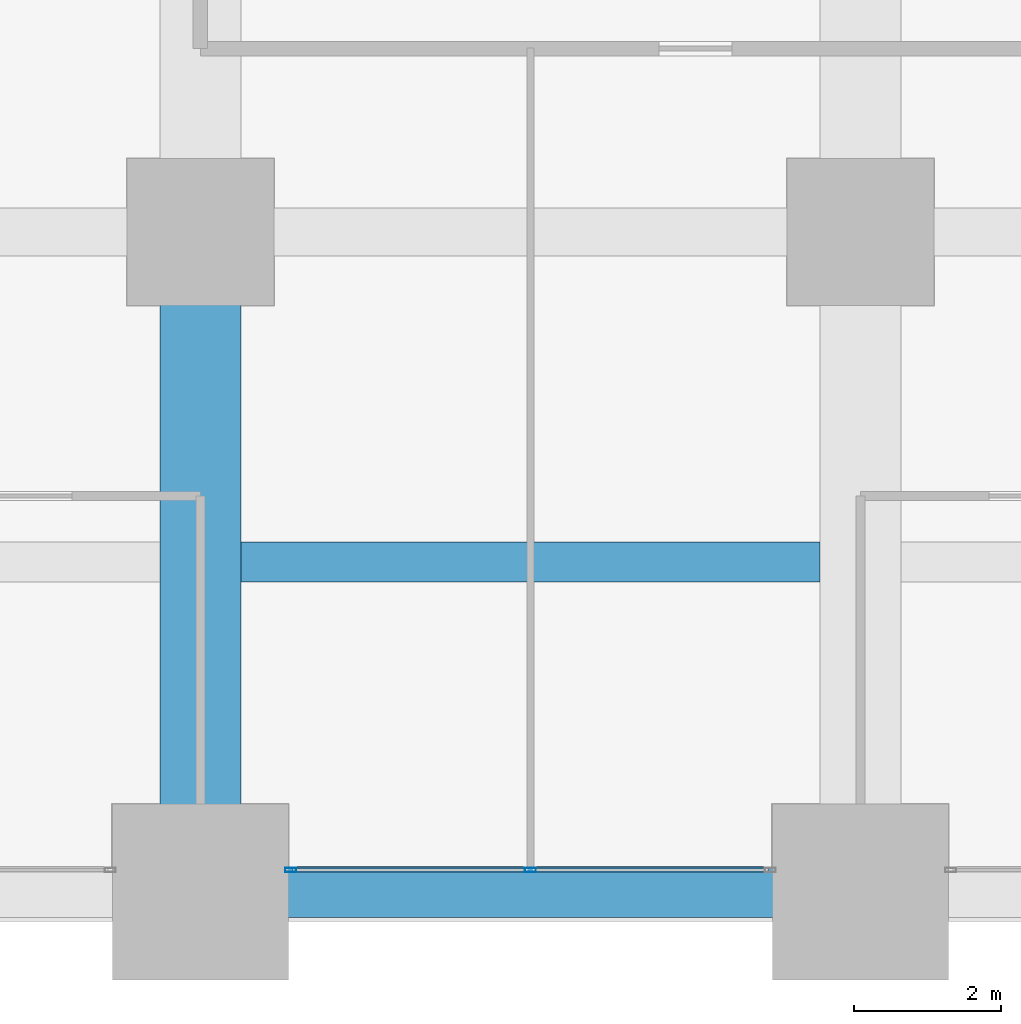
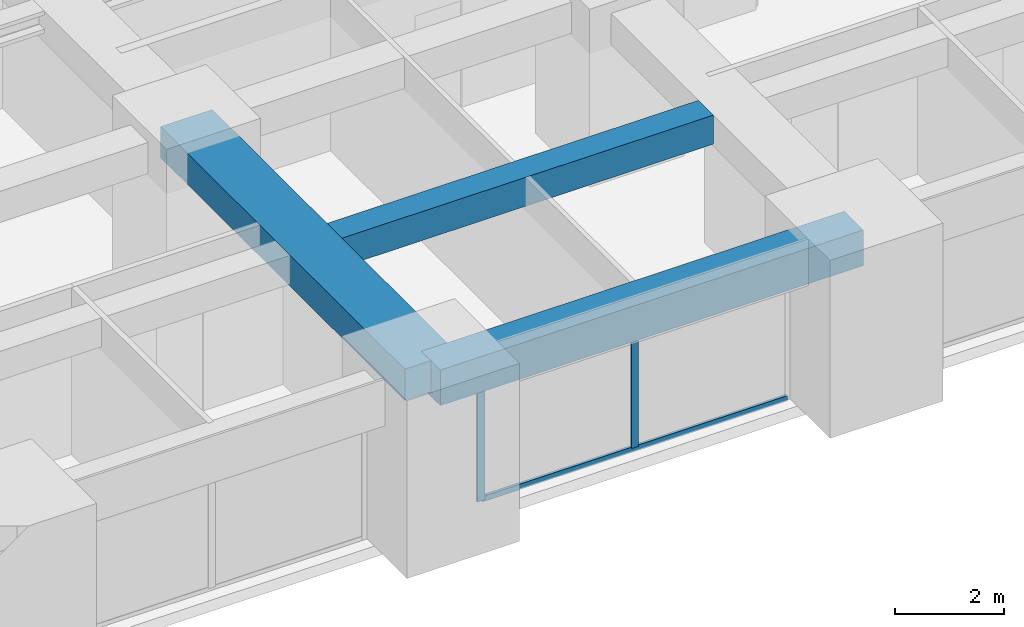
# One storey, part 7 of 41: 3 beams, 3 members, 1 element without a shape of its own.
"""IFC4 building model written with IfcOpenShell, lengths in metres."""

from ifc_helpers import new_model, si_unit, direction, frame, origin, origin_2d, place, context, subcontext, project, spatial, rectangle, hollow_rectangle, extrude, material, material_profile, profile_set, type_object, element, aggregate, save


model = new_model("IFC4")

# Units and contexts
model_context = context("Model", 3, precision=1e-05, world=origin(), true_north=direction((0.0, 1.0)))
body_context = subcontext(model_context, "Body", "Model", "MODEL_VIEW")
ifc_project = project(units=[si_unit("LENGTHUNIT", "METRE"), si_unit("AREAUNIT", "SQUARE_METRE"), si_unit("VOLUMEUNIT", "CUBIC_METRE"), si_unit("PLANEANGLEUNIT", "RADIAN"), si_unit("MASSUNIT", "GRAM", prefix="KILO")], contexts=[model_context])

# Site, building, storey
site_placement = place(None, origin())
site = spatial("IfcSite", under=ifc_project, at=site_placement, CompositionType="ELEMENT")
building_placement = place(site_placement, origin())
building = spatial("IfcBuilding", under=site, at=building_placement, Name="Zorevar Civic Tower", CompositionType="ELEMENT")
storey_placement = place(building_placement, frame((0.0, 0.0, 101.0)))
storey = spatial("IfcBuildingStorey", under=building, at=storey_placement, Name="L24", CompositionType="ELEMENT", Elevation=101.0)

# Beams
ifc_material_1 = material(Name="Concrete C50/60", Category="concrete")
ifc_material_profile_1 = material_profile(ifc_material_1, rectangle(XDim=1.10009765625, YDim=0.699951171875, at=origin_2d()), Name="RC 1100x700")
ifc_profile_set_1 = profile_set([ifc_material_profile_1], Name="Concrete C50/60")
beam_type_1 = type_object("IfcBeamType", Name="Beam RC 1100x700", PredefinedType="BEAM", material=ifc_profile_set_1)
beam_1_placement = place(storey_placement, frame((27.0, 0.0, 3.39990234375), z_axis=(0.0, 1.0, 0.0), x_axis=(-1.0, 0.0, 0.0)))
element("IfcBeam", 1, at=beam_1_placement, inside=storey, type_object=beam_type_1, Name="Girder L25", PredefinedType="BEAM", context=body_context, shape_type="SweptSolid", body=[
    extrude(rectangle(XDim=1.10009765625, YDim=0.699951171875, at=origin_2d()), origin(), (0.0, 0.0, 1.0), 9.0),
])
ifc_material_2 = material(Name="Concrete C50/60", Category="concrete")
ifc_material_profile_2 = material_profile(ifc_material_2, rectangle(XDim=0.550048828125, YDim=0.64990234375, at=origin_2d()), Name="RC 550x650")
ifc_profile_set_2 = profile_set([ifc_material_profile_2], Name="Concrete C50/60")
beam_type_2 = type_object("IfcBeamType", Name="Beam RC 550x650", PredefinedType="BEAM", material=ifc_profile_set_2)
beam_2_placement = place(storey_placement, frame((27.550048828125, 4.5, 3.425048828125), z_axis=(1.0, 0.0, 0.0), x_axis=(0.0, 1.0, 0.0)))
element("IfcBeam", 2, at=beam_2_placement, inside=storey, type_object=beam_type_2, Name="Secondary beam L25", PredefinedType="BEAM", context=body_context, shape_type="SweptSolid", body=[
    extrude(rectangle(XDim=0.550048828125, YDim=0.64990234375, at=origin_2d()), origin(), (0.0, 0.0, 1.0), 7.89990234375),
])

# Curtain wall, members
ifc_material_3 = material(Name="Dark grey solar-control glass in black aluminium frame", Category="aluminium")
curtain_wall_type = type_object("IfcCurtainWallType", Name="Curtain wall CW3 mid zone", PredefinedType="NOTDEFINED", material=ifc_material_3)
curtain_wall_placement = place(storey_placement, origin())
curtain_wall = element("IfcCurtainWall", 3, at=curtain_wall_placement, inside=storey, type_object=curtain_wall_type, Name="CW3 L24", PredefinedType="NOTDEFINED")
ifc_material_4 = material(Name="Aluminium, black anodised", Category="aluminium")
ifc_material_profile_3 = material_profile(ifc_material_4, hollow_rectangle(XDim=0.06005859375, YDim=0.14990234375, WallThickness=0.00390625, at=origin_2d()), Name="AL 150x60x4")
ifc_profile_set_3 = profile_set([ifc_material_profile_3], Name="Aluminium, black anodised")
member_type_1 = type_object("IfcMemberType", Name="CW3 mullion AL 150x60x4", PredefinedType="MULLION", material=ifc_profile_set_3)
member_1_placement = place(storey_placement, frame((28.22998046875, 0.300048828125, 0.0), z_axis=(0.0, 0.0, 1.0), x_axis=(0.0, 1.0, 0.0)))
member_1 = element("IfcMember", 4, at=member_1_placement, type_object=member_type_1, Name="CW3 mullion 1", PredefinedType="MULLION", context=body_context, shape_type="SweptSolid", body=[
    extrude(hollow_rectangle(XDim=0.06005859375, YDim=0.14990234375, WallThickness=0.00390625, at=origin_2d()), origin(), (0.0, 0.0, 1.0), 2.949951171875),
])
member_2_placement = place(storey_placement, frame((31.5, 0.300048828125, 0.06005859375), z_axis=(0.0, 0.0, 1.0), x_axis=(0.0, 1.0, 0.0)))
member_2 = element("IfcMember", 5, at=member_2_placement, type_object=member_type_1, Name="CW3 mullion 2", PredefinedType="MULLION", context=body_context, shape_type="SweptSolid", body=[
    extrude(hollow_rectangle(XDim=0.06005859375, YDim=0.14990234375, WallThickness=0.00390625, at=origin_2d()), origin(), (0.0, 0.0, 1.0), 2.889892578125),
])
ifc_material_5 = material(Name="Aluminium, black anodised", Category="aluminium")
ifc_material_profile_4 = material_profile(ifc_material_5, hollow_rectangle(XDim=0.06005859375, YDim=0.1201171875, WallThickness=0.0029296875, at=origin_2d()), Name="AL 120x60x3")
ifc_profile_set_4 = profile_set([ifc_material_profile_4], Name="Aluminium, black anodised")
member_type_2 = type_object("IfcMemberType", Name="CW3 transom AL 120x60x3", PredefinedType="USERDEFINED", material=ifc_profile_set_4)
member_3_placement = place(storey_placement, frame((28.260009765625, 0.300048828125, 0.030029296875), z_axis=(1.0, 0.0, 0.0), x_axis=(0.0, 1.0, 0.0)))
member_3 = element("IfcMember", 6, at=member_3_placement, type_object=member_type_2, Name="CW3 sill transom", ObjectType="TRANSOM", PredefinedType="USERDEFINED", context=body_context, shape_type="SweptSolid", body=[
    extrude(hollow_rectangle(XDim=0.06005859375, YDim=0.1201171875, WallThickness=0.0029296875, at=origin_2d()), origin(), (0.0, 0.0, 1.0), 6.47998046875),
])
aggregate(curtain_wall, [member_1, member_2, member_3])

# Beam
ifc_material_6 = material(Name="Concrete C50/60", Category="concrete")
ifc_material_profile_5 = material_profile(ifc_material_6, rectangle(XDim=0.699951171875, YDim=0.800048828125, at=origin_2d()), Name="RC 700x800")
ifc_profile_set_5 = profile_set([ifc_material_profile_5], Name="Concrete C50/60")
beam_type_3 = type_object("IfcBeamType", Name="Edge beam RC 700x800", PredefinedType="SPANDREL", material=ifc_profile_set_5)
beam_3_placement = place(storey_placement, frame((27.0, 0.0, 3.35009765625), z_axis=(1.0, 0.0, 0.0), x_axis=(0.0, 1.0, 0.0)))
element("IfcBeam", 7, at=beam_3_placement, inside=storey, type_object=beam_type_3, Name="Edge beam L25", PredefinedType="SPANDREL", context=body_context, shape_type="SweptSolid", body=[
    extrude(rectangle(XDim=0.699951171875, YDim=0.800048828125, at=origin_2d()), origin(), (0.0, 0.0, 1.0), 9.0),
])

save(model, "model.ifc")
